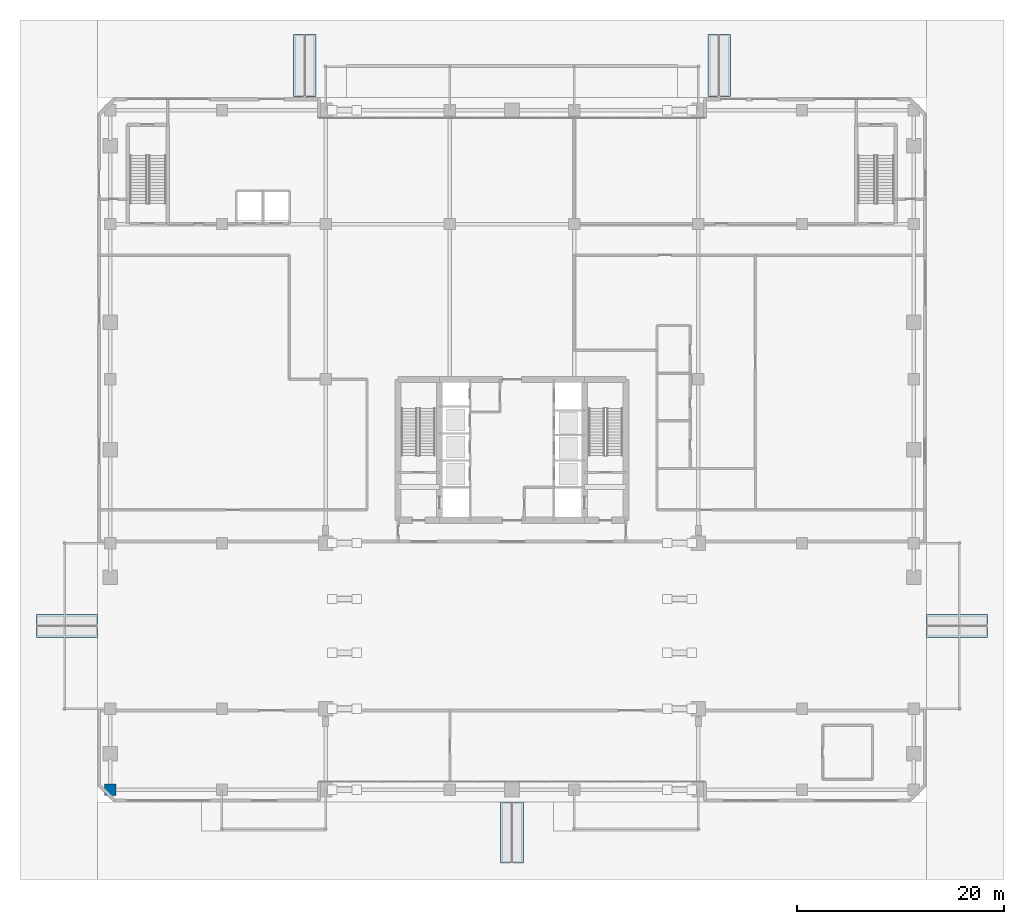
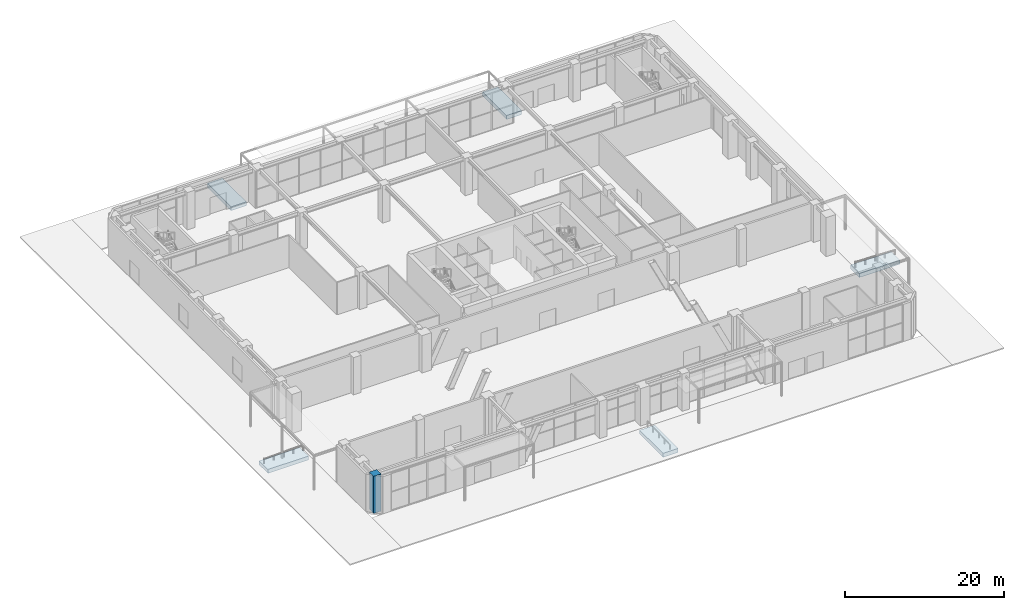
# One storey, part 1 of 49: 5 footings, 1 column.
"""IFC4 building model written with IfcOpenShell, lengths in metres."""

from ifc_helpers import new_model, si_unit, direction, frame, origin, origin_2d, place, context, subcontext, project, spatial, polyline, rectangle, outline, extrude, material, layer, layer_set, material_profile, profile_set, type_object, element, save


model = new_model("IFC4")

# Units and contexts
model_context = context("Model", 3, precision=1e-05, world=origin(), true_north=direction((0.0, 1.0)))
body_context = subcontext(model_context, "Body", "Model", "MODEL_VIEW")
ifc_project = project(units=[si_unit("LENGTHUNIT", "METRE"), si_unit("AREAUNIT", "SQUARE_METRE"), si_unit("VOLUMEUNIT", "CUBIC_METRE"), si_unit("PLANEANGLEUNIT", "RADIAN"), si_unit("MASSUNIT", "GRAM", prefix="KILO")], contexts=[model_context])

# Site, building, storey
site_placement = place(None, origin())
site = spatial("IfcSite", under=ifc_project, at=site_placement, CompositionType="ELEMENT")
building_placement = place(site_placement, origin())
building = spatial("IfcBuilding", under=site, at=building_placement, Name="Sarneth Arch Tower", CompositionType="ELEMENT")
storey_placement = place(building_placement, origin())
storey = spatial("IfcBuildingStorey", under=building, at=storey_placement, Name="L00", CompositionType="ELEMENT", Elevation=0.0)

# Footings
ifc_material_1 = material(Name="Concrete C60/75", Category="concrete")
ifc_layer = layer(ifc_material_1, 0.60009765625)
ifc_layer_set = layer_set([ifc_layer], Name="Concrete C60/75")
footing_type = type_object("IfcFootingType", Name="FTG-RAMP-PAD", PredefinedType="PAD_FOOTING", material=ifc_layer_set)
footing_1_placement = place(storey_placement, frame((0.0, 0.0, -0.780029296875)))
element("IfcFooting", 1, at=footing_1_placement, inside=storey, type_object=footing_type, Name="Ramp foundation pad FTG-RAMP-N1", PredefinedType="PAD_FOOTING", context=body_context, shape_type="SweptSolid", body=[
    extrude(outline(polyline([(26.89990234375, 76.10009765625), (29.10009765625, 76.10009765625), (29.10009765625, 82.10009765625), (26.89990234375, 82.10009765625), (26.89990234375, 76.10009765625)])), origin(), (0.0, 0.0, 1.0), 0.60009765625),
])
footing_2_placement = place(storey_placement, frame((0.0, 0.0, -0.780029296875)))
element("IfcFooting", 2, at=footing_2_placement, inside=storey, type_object=footing_type, Name="Ramp foundation pad FTG-RAMP-N2", PredefinedType="PAD_FOOTING", context=body_context, shape_type="SweptSolid", body=[
    extrude(outline(polyline([(66.89990234375, 76.10009765625), (69.10009765625, 76.10009765625), (69.10009765625, 82.10009765625), (66.89990234375, 82.10009765625), (66.89990234375, 76.10009765625)])), origin(), (0.0, 0.0, 1.0), 0.60009765625),
])
footing_3_placement = place(storey_placement, frame((0.0, 0.0, -0.780029296875)))
element("IfcFooting", 3, at=footing_3_placement, inside=storey, type_object=footing_type, Name="Ramp foundation pad FTG-RAMP-W", PredefinedType="PAD_FOOTING", context=body_context, shape_type="SweptSolid", body=[
    extrude(outline(polyline([(2.10009765625, 23.89990234375), (8.0, 23.89990234375), (8.0, 26.10009765625), (2.10009765625, 26.10009765625), (2.10009765625, 23.89990234375)])), origin(), (0.0, 0.0, 1.0), 0.60009765625),
])
footing_4_placement = place(storey_placement, frame((0.0, 0.0, -0.780029296875)))
element("IfcFooting", 4, at=footing_4_placement, inside=storey, type_object=footing_type, Name="Ramp foundation pad FTG-RAMP-E", PredefinedType="PAD_FOOTING", context=body_context, shape_type="SweptSolid", body=[
    extrude(outline(polyline([(88.0, 23.89990234375), (93.89990234375, 23.89990234375), (93.89990234375, 26.10009765625), (88.0, 26.10009765625), (88.0, 23.89990234375)])), origin(), (0.0, 0.0, 1.0), 0.60009765625),
])
footing_5_placement = place(storey_placement, frame((0.0, 0.0, -0.780029296875)))
element("IfcFooting", 5, at=footing_5_placement, inside=storey, type_object=footing_type, Name="Ramp foundation pad FTG-RAMP-S", PredefinedType="PAD_FOOTING", context=body_context, shape_type="SweptSolid", body=[
    extrude(outline(polyline([(46.89990234375, 2.10009765625), (49.10009765625, 2.10009765625), (49.10009765625, 8.0), (46.89990234375, 8.0), (46.89990234375, 2.10009765625)])), origin(), (0.0, 0.0, 1.0), 0.60009765625),
])

# Column
ifc_material_2 = material(Name="Concrete C60/75", Category="concrete")
ifc_material_profile = material_profile(ifc_material_2, rectangle(XDim=1.10009765625, YDim=1.10009765625, at=origin_2d()), Name="RC-1100x1100")
ifc_profile_set = profile_set([ifc_material_profile], Name="Concrete C60/75")
column_type = type_object("IfcColumnType", Name="COL-RC-1100", PredefinedType="COLUMN", material=ifc_profile_set)
column_placement = place(storey_placement, frame((9.199951171875, 9.199951171875, 0.0), z_axis=(0.0, 0.0, 1.0), x_axis=(1.0, 0.0, 0.0)))
element("IfcColumn", 6, at=column_placement, inside=storey, type_object=column_type, Name="L00 Podium column PS01", PredefinedType="COLUMN", context=body_context, shape_type="SweptSolid", body=[
    extrude(rectangle(XDim=1.10009765625, YDim=1.10009765625, at=origin_2d()), origin(), (0.0, 0.0, 1.0), 5.719970703125),
])

save(model, "model.ifc")
